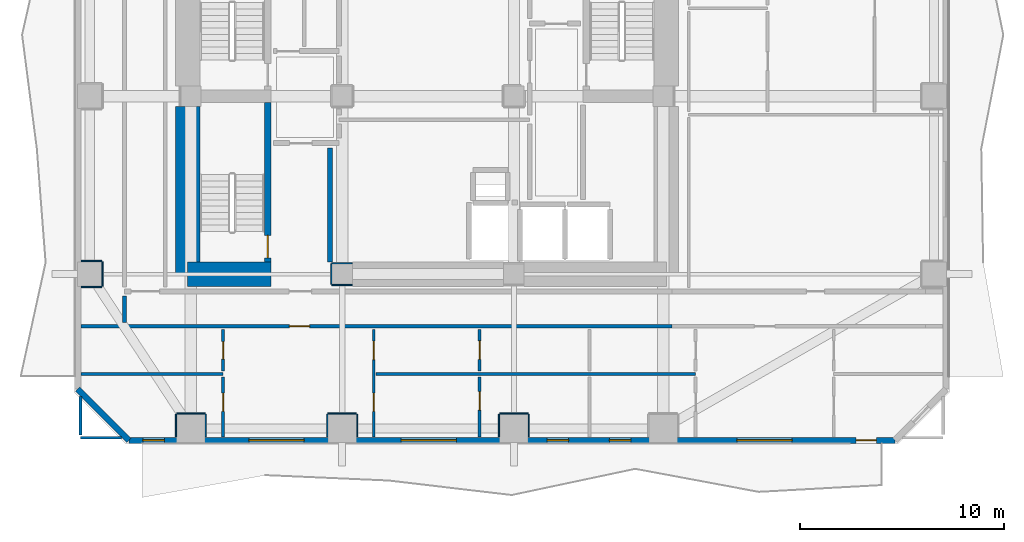
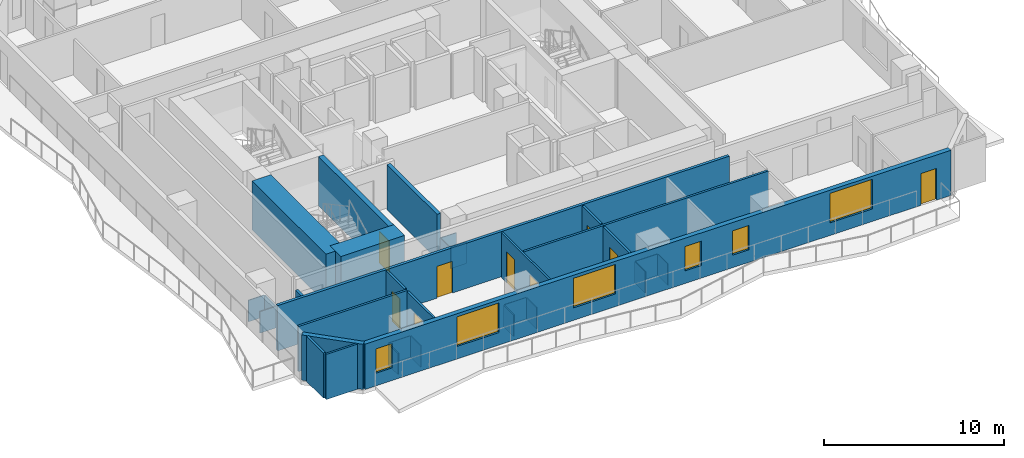
# One storey, part 2 of 11: 32 walls, 9 doors, 6 windows, 15 openings.
"""IFC4 building model written with IfcOpenShell, lengths in metres."""

from ifc_helpers import new_model, si_unit, direction, frame, frame_2d, origin, place, context, subcontext, project, spatial, rectangle, extrude, material, layer, layer_set, type_object, element, fill, save


model = new_model("IFC4")

# Units and contexts
model_context = context("Model", 3, precision=1e-05, world=origin(), true_north=direction((0.0, 1.0)))
body_context = subcontext(model_context, "Body", "Model", "MODEL_VIEW")
ifc_project = project(units=[si_unit("LENGTHUNIT", "METRE"), si_unit("AREAUNIT", "SQUARE_METRE"), si_unit("VOLUMEUNIT", "CUBIC_METRE"), si_unit("PLANEANGLEUNIT", "RADIAN"), si_unit("MASSUNIT", "GRAM", prefix="KILO")], contexts=[model_context])

# Site, building, storey
site_placement = place(None, origin())
site = spatial("IfcSite", under=ifc_project, at=site_placement, CompositionType="ELEMENT")
building_placement = place(site_placement, origin())
building = spatial("IfcBuilding", under=site, at=building_placement, Name="Solanera Arch Residences", CompositionType="ELEMENT")
storey_placement = place(building_placement, frame((0.0, 0.0, 68.47998046875)))
storey = spatial("IfcBuildingStorey", under=building, at=storey_placement, Name="L19", CompositionType="ELEMENT", Elevation=68.47998046875)

# Walls
ifc_material_1 = material(Name="Fire-Rated Gypsum Stud Partition", Category="gypsum")
ifc_layer_1 = layer(ifc_material_1, 0.06005859375)
ifc_layer_set_1 = layer_set([ifc_layer_1], Name="Fire-Rated Gypsum Stud Partition")
wall_type_1 = type_object("IfcWallType", Name="Column Acoustic Furring Wall 60", PredefinedType="PARTITIONING", material=ifc_layer_set_1)
for number, where, z_axis, x_axis, name in (
    (1, (20.300048828125, 21.468017578125, 0.0), (0.0, 0.0, 1.0), (1.0, 0.0, 0.0), "L19 Column Furring 1S"),
    (2, (20.300048828125, 22.531982421875, 0.0), (0.0, 0.0, 1.0), (1.0, 0.0, 0.0), "L19 Column Furring 1N"),
):
    element("IfcWall", number, at=place(storey_placement, frame(where, z_axis=z_axis, x_axis=x_axis)), inside=storey, type_object=wall_type_1, Name=name, PredefinedType="PARTITIONING", context=body_context, shape_type="SweptSolid", body=[
        extrude(rectangle(XDim=0.989990234375, YDim=0.06005859375, at=frame_2d((0.4951171875, 0.0))), origin(), (0.0, 0.0, 1.0), 1.449951171875),
    ])
wall_1_placement = place(storey_placement, frame((20.26806640625, 21.5, 0.0), z_axis=(0.0, 0.0, 1.0), x_axis=(0.0, 1.0, 0.0)))
element("IfcWall", 3, at=wall_1_placement, inside=storey, type_object=wall_type_1, Name="L19 Column Furring 1W", PredefinedType="PARTITIONING", context=body_context, shape_type="SweptSolid", body=[
    extrude(rectangle(XDim=1.0, YDim=0.06005859375, at=frame_2d((0.5, 0.0))), origin(), (0.0, 0.0, 1.0), 1.449951171875),
])
wall_2_placement = place(storey_placement, frame((12.699951171875, 15.181884765625, 0.0), z_axis=(0.0, 0.0, 1.0), x_axis=(1.0, 0.0, 0.0)))
element("IfcWall", 4, at=wall_2_placement, inside=storey, type_object=wall_type_1, Name="L19 Column Furring 9N", PredefinedType="PARTITIONING", context=body_context, shape_type="SweptSolid", body=[
    extrude(rectangle(XDim=1.400146484375, YDim=0.06005859375, at=frame_2d((0.7001953125, 0.0))), origin(), (0.0, 0.0, 1.0), 1.449951171875),
])
for number, where, z_axis, x_axis, name in (
    (5, (12.66796875, 14.030029296875, 0.0), (0.0, 0.0, 1.0), (0.0, 1.0, 0.0), "L19 Column Furring 9W"),
    (6, (14.132080078125, 14.030029296875, 0.0), (0.0, 0.0, 1.0), (0.0, 1.0, 0.0), "L19 Column Furring 9E"),
):
    element("IfcWall", number, at=place(storey_placement, frame(where, z_axis=z_axis, x_axis=x_axis)), inside=storey, type_object=wall_type_1, Name=name, PredefinedType="PARTITIONING", context=body_context, shape_type="SweptSolid", body=[
        extrude(rectangle(XDim=1.119873046875, YDim=0.06005859375, at=frame_2d((0.56005859375, 0.0))), origin(), (0.0, 0.0, 1.0), 1.449951171875),
    ])
wall_3_placement = place(storey_placement, frame((20.10009765625, 15.181884765625, 0.0), z_axis=(0.0, 0.0, 1.0), x_axis=(1.0, 0.0, 0.0)))
element("IfcWall", 7, at=wall_3_placement, inside=storey, type_object=wall_type_1, Name="L19 Column Furring 11N", PredefinedType="PARTITIONING", context=body_context, shape_type="SweptSolid", body=[
    extrude(rectangle(XDim=1.39990234375, YDim=0.06005859375, at=frame_2d((0.699951171875, 0.0))), origin(), (0.0, 0.0, 1.0), 1.449951171875),
])
for number, where, z_axis, x_axis, name in (
    (8, (20.068115234375, 14.030029296875, 0.0), (0.0, 0.0, 1.0), (0.0, 1.0, 0.0), "L19 Column Furring 11W"),
    (9, (21.531982421875, 14.030029296875, 0.0), (0.0, 0.0, 1.0), (0.0, 1.0, 0.0), "L19 Column Furring 11E"),
):
    element("IfcWall", number, at=place(storey_placement, frame(where, z_axis=z_axis, x_axis=x_axis)), inside=storey, type_object=wall_type_1, Name=name, PredefinedType="PARTITIONING", context=body_context, shape_type="SweptSolid", body=[
        extrude(rectangle(XDim=1.119873046875, YDim=0.06005859375, at=frame_2d((0.56005859375, 0.0))), origin(), (0.0, 0.0, 1.0), 1.449951171875),
    ])
wall_4_placement = place(storey_placement, frame((28.5, 15.181884765625, 0.0), z_axis=(0.0, 0.0, 1.0), x_axis=(1.0, 0.0, 0.0)))
element("IfcWall", 10, at=wall_4_placement, inside=storey, type_object=wall_type_1, Name="L19 Column Furring 13N", PredefinedType="PARTITIONING", context=body_context, shape_type="SweptSolid", body=[
    extrude(rectangle(XDim=1.39990234375, YDim=0.06005859375, at=frame_2d((0.699951171875, 0.0))), origin(), (0.0, 0.0, 1.0), 1.449951171875),
])
for number, where, z_axis, x_axis, name in (
    (11, (28.468017578125, 14.030029296875, 0.0), (0.0, 0.0, 1.0), (0.0, 1.0, 0.0), "L19 Column Furring 13W"),
    (12, (29.931884765625, 14.030029296875, 0.0), (0.0, 0.0, 1.0), (0.0, 1.0, 0.0), "L19 Column Furring 13E"),
):
    element("IfcWall", number, at=place(storey_placement, frame(where, z_axis=z_axis, x_axis=x_axis)), inside=storey, type_object=wall_type_1, Name=name, PredefinedType="PARTITIONING", context=body_context, shape_type="SweptSolid", body=[
        extrude(rectangle(XDim=1.119873046875, YDim=0.06005859375, at=frame_2d((0.56005859375, 0.0))), origin(), (0.0, 0.0, 1.0), 1.449951171875),
    ])
for number, where, z_axis, x_axis, name in (
    (13, (8.030029296875, 21.367919921875, 0.0), (0.0, 0.0, 1.0), (1.0, 0.0, 0.0), "L19 Column Furring 17S"),
    (14, (8.030029296875, 22.632080078125, 0.0), (0.0, 0.0, 1.0), (1.0, 0.0, 0.0), "L19 Column Furring 17N"),
):
    element("IfcWall", number, at=place(storey_placement, frame(where, z_axis=z_axis, x_axis=x_axis)), inside=storey, type_object=wall_type_1, Name=name, PredefinedType="PARTITIONING", context=body_context, shape_type="SweptSolid", body=[
        extrude(rectangle(XDim=1.02001953125, YDim=0.06005859375, at=frame_2d((0.510009765625, 0.0))), origin(), (0.0, 0.0, 1.0), 1.449951171875),
    ])
wall_5_placement = place(storey_placement, frame((9.08203125, 21.39990234375, 0.0), z_axis=(0.0, 0.0, 1.0), x_axis=(0.0, 1.0, 0.0)))
element("IfcWall", 15, at=wall_5_placement, inside=storey, type_object=wall_type_1, Name="L19 Column Furring 17E", PredefinedType="PARTITIONING", context=body_context, shape_type="SweptSolid", body=[
    extrude(rectangle(XDim=1.2001953125, YDim=0.06005859375, at=frame_2d((0.60009765625, 0.0))), origin(), (0.0, 0.0, 1.0), 1.449951171875),
])
ifc_material_2 = material(Name="Concrete C55/67 (f'c = 60 MPa)", Category="concrete")
ifc_layer_2 = layer(ifc_material_2, 1.199951171875)
ifc_layer_set_2 = layer_set([ifc_layer_2], Name="Concrete C55/67 (f'c = 60 MPa)")
wall_type_2 = type_object("IfcWallType", Name="Core Shear Wall CW-1200", PredefinedType="SHEAR", material=ifc_layer_set_2)
wall_6_placement = place(storey_placement, frame((13.239990234375, 22.0, 0.0), z_axis=(0.0, 0.0, 1.0), x_axis=(0.0, 1.0, 0.0)))
element("IfcWall", 16, at=wall_6_placement, inside=storey, type_object=wall_type_2, Name="L19 West Core South Shear Wall", PredefinedType="SHEAR", context=body_context, shape_type="SweptSolid", body=[
    extrude(rectangle(XDim=8.195068359375, YDim=1.199951171875, at=frame_2d((4.09765625, 0.0))), origin(), (0.0, 0.0, 1.0), 3.320068359375),
])
wall_7_placement = place(storey_placement, frame((13.239990234375, 22.0, 0.0), z_axis=(0.0, 0.0, 1.0), x_axis=(1.0, 0.0, 0.0)))
element("IfcWall", 17, at=wall_7_placement, inside=storey, type_object=wall_type_2, Name="L19 South-West Core Shear Wall", PredefinedType="SHEAR", context=body_context, shape_type="SweptSolid", body=[
    extrude(rectangle(XDim=4.080078125, YDim=1.199951171875, at=frame_2d((2.0400390625, 0.0))), origin(), (0.0, 0.0, 1.0), 3.320068359375),
])

# Wall, opening, door
ifc_material_3 = material(Name="Concrete C40/50 (f'c = 45 MPa)", Category="concrete")
ifc_layer_3 = layer(ifc_material_3, 0.320068359375)
ifc_layer_set_3 = layer_set([ifc_layer_3], Name="Concrete C40/50 (f'c = 45 MPa)")
wall_type_3 = type_object("IfcWallType", Name="Core Shear Wall CW-320", PredefinedType="SHEAR", material=ifc_layer_set_3)
wall_8_placement = place(storey_placement, frame((17.159912109375, 22.60009765625, 0.0), z_axis=(0.0, 0.0, 1.0), x_axis=(0.0, 1.0, 0.0)))
wall_8 = element("IfcWall", 18, at=wall_8_placement, inside=storey, type_object=wall_type_3, Name="L19 Stair ST-T3 East Shear Wall", PredefinedType="SHEAR", context=body_context, shape_type="SweptSolid", body=[
    extrude(rectangle(XDim=7.7998046875, YDim=0.320068359375, at=frame_2d((3.89990234375, 0.0))), origin(), (0.0, 0.0, 1.0), 3.320068359375),
])
opening_1_placement = place(wall_8_placement, frame((0.18994140625, 0.0, 0.0)))
opening_1 = element("IfcOpeningElement", 19, at=opening_1_placement, cuts=wall_8, Name="Opening DF-01", PredefinedType="OPENING", context=body_context, shape_type="SweptSolid", body=[
    extrude(rectangle(XDim=1.10009765625, YDim=2.14990234375, at=frame_2d((0.550048828125, 1.074951171875))), frame((0.0, 0.169921875, 0.0), z_axis=(0.0, -1.0, 0.0), x_axis=(1.0, 0.0, 0.0)), (0.0, 0.0, 1.0), 0.3401),
])
ifc_material_4 = material(Name="Fire-Rated Architectural Hardwood", Category="wood")
door_type_1 = type_object("IfcDoorType", Name="Stair Exit Fire Door DF-01", OperationType="NOTDEFINED", PredefinedType="DOOR", material=ifc_material_4)
door_1_placement = place(opening_1_placement, origin())
door_1 = element("IfcDoor", 20, at=door_1_placement, inside=storey, type_object=door_type_1, Name="DR-L19-STAIR-ST-T3", OperationType="SINGLE_SWING_LEFT", OverallHeight=2.14990234375, OverallWidth=1.10009765625, PredefinedType="DOOR", context=body_context, shape_type="SweptSolid", body=[
    extrude(rectangle(XDim=1.10009765625, YDim=2.14990234375, at=frame_2d((0.550048828125, 1.074951171875))), frame((0.0, 0.02490234375, 0.0), z_axis=(0.0, -1.0, 0.0), x_axis=(1.0, 0.0, 0.0)), (0.0, 0.0, 1.0), 0.050048828125),
])
fill(opening_1, door_1)

ifc_material_5 = material(Name="Autoclaved Aerated Concrete Blockwork", Category="masonry")
ifc_layer_4 = layer(ifc_material_5, 0.179931640625)
ifc_layer_set_4 = layer_set([ifc_layer_4], Name="Autoclaved Aerated Concrete Blockwork")
wall_type_4 = type_object("IfcWallType", Name="Corridor Fire Partition 180", PredefinedType="PARTITIONING", material=ifc_layer_set_4)
wall_9_placement = place(storey_placement, frame((8.027099609375, 19.449951171875, 0.0), z_axis=(0.0, 0.0, 1.0), x_axis=(1.0, 0.0, 0.0)))
wall_9 = element("IfcWall", 21, at=wall_9_placement, inside=storey, type_object=wall_type_4, Name="L19 Interior Partition H6 1", PredefinedType="PARTITIONING", context=body_context, shape_type="SweptSolid", body=[
    extrude(rectangle(XDim=28.90185546875, YDim=0.179931640625, at=frame_2d((14.450927734375, 0.0))), origin(), (0.0, 0.0, 1.0), 3.06005859375),
])
opening_2_placement = place(wall_9_placement, frame((10.18701171875, 0.0, 0.0)))
opening_2 = element("IfcOpeningElement", 22, at=opening_2_placement, cuts=wall_9, Name="Opening DI-01", PredefinedType="OPENING", context=body_context, shape_type="SweptSolid", body=[
    extrude(rectangle(XDim=1.0, YDim=2.14990234375, at=frame_2d((0.5, 1.074951171875))), frame((0.0, 0.10009765625, 0.0), z_axis=(0.0, -1.0, 0.0), x_axis=(1.0, 0.0, 0.0)), (0.0, 0.0, 1.0), 0.1999),
])
ifc_material_6 = material(Name="Fire-Rated Architectural Hardwood", Category="wood")
door_type_2 = type_object("IfcDoorType", Name="Unit Entrance Fire Door DI-01", OperationType="NOTDEFINED", PredefinedType="DOOR", material=ifc_material_6)
door_2_placement = place(opening_2_placement, origin())
door_2 = element("IfcDoor", 23, at=door_2_placement, inside=storey, type_object=door_type_2, Name="DR-L19-IN-013", OperationType="SINGLE_SWING_LEFT", OverallHeight=2.14990234375, OverallWidth=1.0, PredefinedType="DOOR", context=body_context, shape_type="SweptSolid", body=[
    extrude(rectangle(XDim=1.0, YDim=2.14990234375, at=frame_2d((0.5, 1.074951171875))), frame((0.0, 0.02490234375, 0.0), z_axis=(0.0, -1.0, 0.0), x_axis=(1.0, 0.0, 0.0)), (0.0, 0.0, 1.0), 0.050048828125),
])
fill(opening_2, door_2)

# Wall
wall_10_placement = place(storey_placement, frame((10.14990234375, 19.637939453125, 0.0), z_axis=(0.0, 0.0, 1.0), x_axis=(0.0, 1.0, 0.0)))
element("IfcWall", 24, at=wall_10_placement, inside=storey, type_object=wall_type_4, Name="L19 Interior Partition V6 1", PredefinedType="PARTITIONING", context=body_context, shape_type="SweptSolid", body=[
    extrude(rectangle(XDim=1.2939453125, YDim=0.179931640625, at=frame_2d((0.64697265625, 0.0))), origin(), (0.0, 0.0, 1.0), 2.445068359375),
])

# Wall, openings, door, windows
ifc_material_7 = material(Name="Precast Concrete C35/45", Category="concrete")
ifc_layer_5 = layer(ifc_material_7, 0.300048828125)
ifc_layer_set_5 = layer_set([ifc_layer_5], Name="Precast Concrete C35/45")
wall_type_5 = type_object("IfcWallType", Name="Exterior Wall Precast Masonry-Frame 300", PredefinedType="STANDARD", material=ifc_layer_set_5)
wall_11_placement = place(storey_placement, frame((47.8349609375, 13.864990234375, 0.0), z_axis=(0.0, 0.0, 1.0), x_axis=(-1.0, 0.0, 0.0)))
wall_11 = element("IfcWall", 25, at=wall_11_placement, inside=storey, type_object=wall_type_5, Name="L19 Tower Exterior Precast Masonry-Frame Wall S", PredefinedType="STANDARD", context=body_context, shape_type="SweptSolid", body=[
    extrude(rectangle(XDim=37.469970703125, YDim=0.300048828125, at=frame_2d((18.73486328125, 0.0))), origin(), (0.0, 0.0, 1.0), 3.06005859375),
])
opening_3_placement = place(wall_11_placement, frame((0.90087890625, 0.0, 0.0)))
opening_3 = element("IfcOpeningElement", 26, at=opening_3_placement, cuts=wall_11, Name="Opening DB-01", PredefinedType="OPENING", context=body_context, shape_type="SweptSolid", body=[
    extrude(rectangle(XDim=1.0, YDim=2.14990234375, at=frame_2d((0.5, 1.074951171875))), frame((0.0, 0.159912109375, 0.0), z_axis=(0.0, -1.0, 0.0), x_axis=(1.0, 0.0, 0.0)), (0.0, 0.0, 1.0), 0.32),
])
opening_4_placement = place(wall_11_placement, frame((28.89501953125, 0.0, 0.85009765625)))
opening_4 = element("IfcOpeningElement", 27, at=opening_4_placement, cuts=wall_11, Name="Opening W-09", PredefinedType="OPENING", context=body_context, shape_type="SweptSolid", body=[
    extrude(rectangle(XDim=2.699951171875, YDim=2.0, at=frame_2d((1.35009765625, 1.0))), frame((0.0, 0.159912109375, 0.0), z_axis=(0.0, -1.0, 0.0), x_axis=(1.0, 0.0, 0.0)), (0.0, 0.0, 1.0), 0.32),
])
opening_5_placement = place(wall_11_placement, frame((35.73291015625, 0.0, 0.85009765625)))
opening_5 = element("IfcOpeningElement", 28, at=opening_5_placement, cuts=wall_11, Name="Opening W-07", PredefinedType="OPENING", context=body_context, shape_type="SweptSolid", body=[
    extrude(rectangle(XDim=1.050048828125, YDim=1.64990234375, at=frame_2d((0.52490234375, 0.824951171875))), frame((0.0, 0.159912109375, 0.0), z_axis=(0.0, -1.0, 0.0), x_axis=(1.0, 0.0, 0.0)), (0.0, 0.0, 1.0), 0.32),
])
opening_6_placement = place(wall_11_placement, frame((21.450927734375, 0.0, 0.85009765625)))
opening_6 = element("IfcOpeningElement", 29, at=opening_6_placement, cuts=wall_11, Name="Opening W-09", PredefinedType="OPENING", context=body_context, shape_type="SweptSolid", body=[
    extrude(rectangle(XDim=2.699951171875, YDim=2.0, at=frame_2d((1.35009765625, 1.0))), frame((0.0, 0.159912109375, 0.0), z_axis=(0.0, -1.0, 0.0), x_axis=(1.0, 0.0, 0.0)), (0.0, 0.0, 1.0), 0.32),
])
opening_7_placement = place(wall_11_placement, frame((15.964111328125, 0.0, 0.85009765625)))
opening_7 = element("IfcOpeningElement", 30, at=opening_7_placement, cuts=wall_11, Name="Opening W-07", PredefinedType="OPENING", context=body_context, shape_type="SweptSolid", body=[
    extrude(rectangle(XDim=1.050048828125, YDim=1.64990234375, at=frame_2d((0.52490234375, 0.824951171875))), frame((0.0, 0.159912109375, 0.0), z_axis=(0.0, -1.0, 0.0), x_axis=(1.0, 0.0, 0.0)), (0.0, 0.0, 1.0), 0.32),
])
opening_8_placement = place(wall_11_placement, frame((5.02490234375, 0.0, 0.85009765625)))
opening_8 = element("IfcOpeningElement", 31, at=opening_8_placement, cuts=wall_11, Name="Opening W-09", PredefinedType="OPENING", context=body_context, shape_type="SweptSolid", body=[
    extrude(rectangle(XDim=2.699951171875, YDim=2.0, at=frame_2d((1.35009765625, 1.0))), frame((0.0, 0.159912109375, 0.0), z_axis=(0.0, -1.0, 0.0), x_axis=(1.0, 0.0, 0.0)), (0.0, 0.0, 1.0), 0.32),
])
opening_9_placement = place(wall_11_placement, frame((12.9140625, 0.0, 0.85009765625)))
opening_9 = element("IfcOpeningElement", 32, at=opening_9_placement, cuts=wall_11, Name="Opening W-07", PredefinedType="OPENING", context=body_context, shape_type="SweptSolid", body=[
    extrude(rectangle(XDim=1.050048828125, YDim=1.64990234375, at=frame_2d((0.52490234375, 0.824951171875))), frame((0.0, 0.159912109375, 0.0), z_axis=(0.0, -1.0, 0.0), x_axis=(1.0, 0.0, 0.0)), (0.0, 0.0, 1.0), 0.32),
])
ifc_material_8 = material(Name="Anodised Aluminium Alloy 6063-T6", Category="aluminium")
door_type_3 = type_object("IfcDoorType", Name="Glazed Balcony Swing Door DB-01", OperationType="NOTDEFINED", PredefinedType="DOOR", material=ifc_material_8)
door_3_placement = place(opening_3_placement, origin())
door_3 = element("IfcDoor", 33, at=door_3_placement, inside=storey, type_object=door_type_3, Name="DR-L19-OUT-01", OperationType="SINGLE_SWING_LEFT", OverallHeight=2.14990234375, OverallWidth=1.0, PredefinedType="DOOR", context=body_context, shape_type="SweptSolid", body=[
    extrude(rectangle(XDim=1.0, YDim=2.14990234375, at=frame_2d((0.5, 1.074951171875))), frame((0.0, 0.02490234375, 0.0), z_axis=(0.0, -1.0, 0.0), x_axis=(1.0, 0.0, 0.0)), (0.0, 0.0, 1.0), 0.050048828125),
])
fill(opening_3, door_3)
ifc_material_9 = material(Name="Double Glazed Low-E Laminated Glass", Category="glass")
window_type_1 = type_object("IfcWindowType", Name="Punched Window W-07", PartitioningType="SINGLE_PANEL", PredefinedType="WINDOW", material=ifc_material_9)
window_1_placement = place(opening_5_placement, origin())
window_1 = element("IfcWindow", 34, at=window_1_placement, inside=storey, type_object=window_type_1, Name="L19 1901-BR1 Punched Window", OverallHeight=1.64990234375, OverallWidth=1.050048828125, PartitioningType="SINGLE_PANEL", PredefinedType="WINDOW", context=body_context, shape_type="SweptSolid", body=[
    extrude(rectangle(XDim=1.050048828125, YDim=1.64990234375, at=frame_2d((0.52490234375, 0.824951171875))), frame((0.0, 0.030029296875, 0.0), z_axis=(0.0, -1.0, 0.0), x_axis=(1.0, 0.0, 0.0)), (0.0, 0.0, 1.0), 0.06005859375),
])
fill(opening_5, window_1)
window_2_placement = place(opening_7_placement, origin())
window_2 = element("IfcWindow", 35, at=window_2_placement, inside=storey, type_object=window_type_1, Name="L19 1901-BR3 Punched Window", OverallHeight=1.64990234375, OverallWidth=1.050048828125, PartitioningType="SINGLE_PANEL", PredefinedType="WINDOW", context=body_context, shape_type="SweptSolid", body=[
    extrude(rectangle(XDim=1.050048828125, YDim=1.64990234375, at=frame_2d((0.52490234375, 0.824951171875))), frame((0.0, 0.030029296875, 0.0), z_axis=(0.0, -1.0, 0.0), x_axis=(1.0, 0.0, 0.0)), (0.0, 0.0, 1.0), 0.06005859375),
])
fill(opening_7, window_2)
window_3_placement = place(opening_9_placement, origin())
window_3 = element("IfcWindow", 36, at=window_3_placement, inside=storey, type_object=window_type_1, Name="L19 1902-BR1 Punched Window", OverallHeight=1.64990234375, OverallWidth=1.050048828125, PartitioningType="SINGLE_PANEL", PredefinedType="WINDOW", context=body_context, shape_type="SweptSolid", body=[
    extrude(rectangle(XDim=1.050048828125, YDim=1.64990234375, at=frame_2d((0.52490234375, 0.824951171875))), frame((0.0, 0.030029296875, 0.0), z_axis=(0.0, -1.0, 0.0), x_axis=(1.0, 0.0, 0.0)), (0.0, 0.0, 1.0), 0.06005859375),
])
fill(opening_9, window_3)
ifc_material_10 = material(Name="Double Glazed Low-E Laminated Glass", Category="glass")
window_type_2 = type_object("IfcWindowType", Name="Punched Window W-09", PartitioningType="TRIPLE_PANEL_VERTICAL", PredefinedType="WINDOW", material=ifc_material_10)
window_4_placement = place(opening_4_placement, origin())
window_4 = element("IfcWindow", 37, at=window_4_placement, inside=storey, type_object=window_type_2, Name="L19 1901-LIV Punched Window", OverallHeight=2.0, OverallWidth=2.699951171875, PartitioningType="SINGLE_PANEL", PredefinedType="WINDOW", context=body_context, shape_type="SweptSolid", body=[
    extrude(rectangle(XDim=2.699951171875, YDim=2.0, at=frame_2d((1.35009765625, 1.0))), frame((0.0, 0.030029296875, 0.0), z_axis=(0.0, -1.0, 0.0), x_axis=(1.0, 0.0, 0.0)), (0.0, 0.0, 1.0), 0.06005859375),
])
fill(opening_4, window_4)
window_5_placement = place(opening_6_placement, origin())
window_5 = element("IfcWindow", 38, at=window_5_placement, inside=storey, type_object=window_type_2, Name="L19 1901-BR2 Punched Window", OverallHeight=2.0, OverallWidth=2.699951171875, PartitioningType="SINGLE_PANEL", PredefinedType="WINDOW", context=body_context, shape_type="SweptSolid", body=[
    extrude(rectangle(XDim=2.699951171875, YDim=2.0, at=frame_2d((1.35009765625, 1.0))), frame((0.0, 0.030029296875, 0.0), z_axis=(0.0, -1.0, 0.0), x_axis=(1.0, 0.0, 0.0)), (0.0, 0.0, 1.0), 0.06005859375),
])
fill(opening_6, window_5)
window_6_placement = place(opening_8_placement, origin())
window_6 = element("IfcWindow", 39, at=window_6_placement, inside=storey, type_object=window_type_2, Name="L19 1902-LIV Punched Window", OverallHeight=2.0, OverallWidth=2.699951171875, PartitioningType="SINGLE_PANEL", PredefinedType="WINDOW", context=body_context, shape_type="SweptSolid", body=[
    extrude(rectangle(XDim=2.699951171875, YDim=2.0, at=frame_2d((1.35009765625, 1.0))), frame((0.0, 0.030029296875, 0.0), z_axis=(0.0, -1.0, 0.0), x_axis=(1.0, 0.0, 0.0)), (0.0, 0.0, 1.0), 0.06005859375),
])
fill(opening_8, window_6)

# Walls
wall_12_placement = place(storey_placement, frame((10.364990234375, 13.864990234375, 0.0), z_axis=(0.0, 0.0, 1.0), x_axis=(-0.707106781187, 0.707106781187, 0.0)))
element("IfcWall", 40, at=wall_12_placement, inside=storey, type_object=wall_type_5, Name="L19 Tower Exterior Precast Masonry-Frame Wall CH7", PredefinedType="STANDARD", context=body_context, shape_type="SweptSolid", body=[
    extrude(rectangle(XDim=3.53564453125, YDim=0.300048828125, at=frame_2d((1.767822265625, 0.0))), origin(), (0.0, 0.0, 1.0), 3.06005859375),
])
ifc_material_11 = material(Name="Autoclaved Aerated Concrete Blockwork", Category="masonry")
ifc_layer_6 = layer(ifc_material_11, 0.239990234375)
ifc_layer_set_6 = layer_set([ifc_layer_6], Name="Autoclaved Aerated Concrete Blockwork")
wall_type_6 = type_object("IfcWallType", Name="Shaft Wall Fire-Rated 240", PredefinedType="PARTITIONING", material=ifc_layer_set_6)
wall_13_placement = place(storey_placement, frame((20.199951171875, 22.5859375, 0.0), z_axis=(0.0, 0.0, 1.0), x_axis=(0.0, 1.0, 0.0)))
element("IfcWall", 41, at=wall_13_placement, inside=storey, type_object=wall_type_6, Name="L19 Interior Partition V2", PredefinedType="PARTITIONING", context=body_context, shape_type="SweptSolid", body=[
    extrude(rectangle(XDim=5.566162109375, YDim=0.239990234375, at=frame_2d((2.783203125, 0.0))), origin(), (0.0, 0.0, 1.0), 3.06005859375),
])
ifc_material_12 = material(Name="Fire-Rated Gypsum Stud Partition", Category="gypsum")
ifc_layer_7 = layer(ifc_material_12, 0.1201171875)
ifc_layer_set_7 = layer_set([ifc_layer_7], Name="Fire-Rated Gypsum Stud Partition")
wall_type_7 = type_object("IfcWallType", Name="Unit Drywall Partition 120", PredefinedType="PARTITIONING", material=ifc_layer_set_7)
wall_14_placement = place(storey_placement, frame((8.0, 14.0, 0.0), z_axis=(0.0, 0.0, 1.0), x_axis=(1.0, 0.0, 0.0)))
element("IfcWall", 42, at=wall_14_placement, inside=storey, type_object=wall_type_7, Name="L19 Interior Partition H19 1", PredefinedType="PARTITIONING", context=body_context, shape_type="SweptSolid", body=[
    extrude(rectangle(XDim=2.0009765625, YDim=0.1201171875, at=frame_2d((1.00048828125, 0.0))), origin(), (0.0, 0.0, 1.0), 3.06005859375),
])

# Wall, openings, doors
wall_15_placement = place(storey_placement, frame((22.35205078125, 14.027099609375, 0.0), z_axis=(0.0, 0.0, 1.0), x_axis=(0.0, 1.0, 0.0)))
wall_15 = element("IfcWall", 43, at=wall_15_placement, inside=storey, type_object=wall_type_7, Name="L19 Interior Partition V22", PredefinedType="PARTITIONING", context=body_context, shape_type="SweptSolid", body=[
    extrude(rectangle(XDim=5.264892578125, YDim=0.1201171875, at=frame_2d((2.63232421875, 0.0))), origin(), (0.0, 0.0, 1.0), 3.06005859375),
])
opening_10_placement = place(wall_15_placement, frame((3.7890625, 0.0, 0.0)))
opening_10 = element("IfcOpeningElement", 44, at=opening_10_placement, cuts=wall_15, Name="Opening DI-02", PredefinedType="OPENING", context=body_context, shape_type="SweptSolid", body=[
    extrude(rectangle(XDim=0.89990234375, YDim=2.10009765625, at=frame_2d((0.449951171875, 1.050048828125))), frame((0.0, 0.070068359375, 0.0), z_axis=(0.0, -1.0, 0.0), x_axis=(1.0, 0.0, 0.0)), (0.0, 0.0, 1.0), 0.1401),
])
opening_11_placement = place(wall_15_placement, frame((1.2490234375, 0.0, 0.0)))
opening_11 = element("IfcOpeningElement", 45, at=opening_11_placement, cuts=wall_15, Name="Opening DI-03", PredefinedType="OPENING", context=body_context, shape_type="SweptSolid", body=[
    extrude(rectangle(XDim=0.89990234375, YDim=2.10009765625, at=frame_2d((0.449951171875, 1.050048828125))), frame((0.0, 0.070068359375, 0.0), z_axis=(0.0, -1.0, 0.0), x_axis=(1.0, 0.0, 0.0)), (0.0, 0.0, 1.0), 0.1401),
])
ifc_material_13 = material(Name="Fire-Rated Architectural Hardwood", Category="wood")
door_type_4 = type_object("IfcDoorType", Name="Bedroom Swing Door DI-03", OperationType="NOTDEFINED", PredefinedType="DOOR", material=ifc_material_13)
door_4_placement = place(opening_11_placement, origin())
door_4 = element("IfcDoor", 46, at=door_4_placement, inside=storey, type_object=door_type_4, Name="DR-L19-IN-018", OperationType="SINGLE_SWING_RIGHT", OverallHeight=2.10009765625, OverallWidth=0.89990234375, PredefinedType="DOOR", context=body_context, shape_type="SweptSolid", body=[
    extrude(rectangle(XDim=0.89990234375, YDim=2.10009765625, at=frame_2d((0.449951171875, 1.050048828125))), frame((0.0, 0.02490234375, 0.0), z_axis=(0.0, -1.0, 0.0), x_axis=(1.0, 0.0, 0.0)), (0.0, 0.0, 1.0), 0.050048828125),
])
fill(opening_11, door_4)
ifc_material_14 = material(Name="Fire-Rated Architectural Hardwood", Category="wood")
door_type_5 = type_object("IfcDoorType", Name="Suite Room Swing Door DI-02", OperationType="NOTDEFINED", PredefinedType="DOOR", material=ifc_material_14)
door_5_placement = place(opening_10_placement, origin())
door_5 = element("IfcDoor", 47, at=door_5_placement, inside=storey, type_object=door_type_5, Name="DR-L19-IN-016", OperationType="SINGLE_SWING_RIGHT", OverallHeight=2.10009765625, OverallWidth=0.89990234375, PredefinedType="DOOR", context=body_context, shape_type="SweptSolid", body=[
    extrude(rectangle(XDim=0.89990234375, YDim=2.10009765625, at=frame_2d((0.449951171875, 1.050048828125))), frame((0.0, 0.02490234375, 0.0), z_axis=(0.0, -1.0, 0.0), x_axis=(1.0, 0.0, 0.0)), (0.0, 0.0, 1.0), 0.050048828125),
])
fill(opening_10, door_5)

# Walls
ifc_material_15 = material(Name="Autoclaved Aerated Concrete Blockwork", Category="masonry")
ifc_layer_8 = layer(ifc_material_15, 0.139892578125)
ifc_layer_set_8 = layer_set([ifc_layer_8], Name="Autoclaved Aerated Concrete Blockwork")
wall_type_8 = type_object("IfcWallType", Name="Wet-Room Partition 140", PredefinedType="PARTITIONING", material=ifc_layer_set_8)
wall_16_placement = place(storey_placement, frame((8.027099609375, 17.10693359375, 0.0), z_axis=(0.0, 0.0, 1.0), x_axis=(1.0, 0.0, 0.0)))
element("IfcWall", 48, at=wall_16_placement, inside=storey, type_object=wall_type_8, Name="L19 Interior Partition H12", PredefinedType="PARTITIONING", context=body_context, shape_type="SweptSolid", body=[
    extrude(rectangle(XDim=6.952880859375, YDim=0.139892578125, at=frame_2d((3.4765625, 0.0))), origin(), (0.0, 0.0, 1.0), 3.06005859375),
])
wall_17_placement = place(storey_placement, frame((22.447998046875, 17.10693359375, 0.0), z_axis=(0.0, 0.0, 1.0), x_axis=(1.0, 0.0, 0.0)))
element("IfcWall", 49, at=wall_17_placement, inside=storey, type_object=wall_type_8, Name="L19 Interior Partition H13", PredefinedType="PARTITIONING", context=body_context, shape_type="SweptSolid", body=[
    extrude(rectangle(XDim=15.635986328125, YDim=0.139892578125, at=frame_2d((7.81787109375, 0.0))), origin(), (0.0, 0.0, 1.0), 3.06005859375),
])
wall_18_placement = place(storey_placement, frame((8.0, 14.137939453125, 0.0), z_axis=(0.0, 0.0, 1.0), x_axis=(0.0, 1.0, 0.0)))
element("IfcWall", 50, at=wall_18_placement, inside=storey, type_object=wall_type_8, Name="L19 Interior Partition V10", PredefinedType="PARTITIONING", context=body_context, shape_type="SweptSolid", body=[
    extrude(rectangle(XDim=1.863037109375, YDim=0.139892578125, at=frame_2d((0.931640625, 0.0))), origin(), (0.0, 0.0, 1.0), 3.06005859375),
])

# Wall, opening, door
wall_19_placement = place(storey_placement, frame((14.97998046875, 14.027099609375, 0.0), z_axis=(0.0, 0.0, 1.0), x_axis=(0.0, 1.0, 0.0)))
wall_19 = element("IfcWall", 51, at=wall_19_placement, inside=storey, type_object=wall_type_8, Name="L19 Interior Partition V13 1", PredefinedType="PARTITIONING", context=body_context, shape_type="SweptSolid", body=[
    extrude(rectangle(XDim=2.931884765625, YDim=0.139892578125, at=frame_2d((1.4658203125, 0.0))), origin(), (0.0, 0.0, 1.0), 3.06005859375),
])
opening_12_placement = place(wall_19_placement, frame((1.2490234375, 0.0, 0.0)))
opening_12 = element("IfcOpeningElement", 52, at=opening_12_placement, cuts=wall_19, Name="Opening DI-03", PredefinedType="OPENING", context=body_context, shape_type="SweptSolid", body=[
    extrude(rectangle(XDim=0.89990234375, YDim=2.10009765625, at=frame_2d((0.449951171875, 1.050048828125))), frame((0.0, 0.079833984375, 0.0), z_axis=(0.0, -1.0, 0.0), x_axis=(1.0, 0.0, 0.0)), (0.0, 0.0, 1.0), 0.1599),
])
door_6_placement = place(opening_12_placement, origin())
door_6 = element("IfcDoor", 53, at=door_6_placement, inside=storey, type_object=door_type_4, Name="DR-L19-IN-015", OperationType="SINGLE_SWING_LEFT", OverallHeight=2.10009765625, OverallWidth=0.89990234375, PredefinedType="DOOR", context=body_context, shape_type="SweptSolid", body=[
    extrude(rectangle(XDim=0.89990234375, YDim=2.10009765625, at=frame_2d((0.449951171875, 1.050048828125))), frame((0.0, 0.02490234375, 0.0), z_axis=(0.0, -1.0, 0.0), x_axis=(1.0, 0.0, 0.0)), (0.0, 0.0, 1.0), 0.050048828125),
])
fill(opening_12, door_6)

wall_20_placement = place(storey_placement, frame((14.97998046875, 17.2548828125, 0.0), z_axis=(0.0, 0.0, 1.0), x_axis=(0.0, 1.0, 0.0)))
wall_20 = element("IfcWall", 54, at=wall_20_placement, inside=storey, type_object=wall_type_8, Name="L19 Interior Partition V13 2", PredefinedType="PARTITIONING", context=body_context, shape_type="SweptSolid", body=[
    extrude(rectangle(XDim=2.027099609375, YDim=0.139892578125, at=frame_2d((1.013671875, 0.0))), origin(), (0.0, 0.0, 1.0), 3.06005859375),
])
opening_13_placement = place(wall_20_placement, frame((0.5810546875, 0.0, 0.0)))
opening_13 = element("IfcOpeningElement", 55, at=opening_13_placement, cuts=wall_20, Name="Opening DI-05", PredefinedType="OPENING", context=body_context, shape_type="SweptSolid", body=[
    extrude(rectangle(XDim=0.860107421875, YDim=2.02001953125, at=frame_2d((0.43017578125, 1.010009765625))), frame((0.0, 0.079833984375, 0.0), z_axis=(0.0, -1.0, 0.0), x_axis=(1.0, 0.0, 0.0)), (0.0, 0.0, 1.0), 0.1599),
])
ifc_material_16 = material(Name="Fire-Rated Architectural Hardwood", Category="wood")
door_type_6 = type_object("IfcDoorType", Name="Bathroom Swing Door DI-05", OperationType="NOTDEFINED", PredefinedType="DOOR", material=ifc_material_16)
door_7_placement = place(opening_13_placement, origin())
door_7 = element("IfcDoor", 56, at=door_7_placement, inside=storey, type_object=door_type_6, Name="DR-L19-IN-014", OperationType="SINGLE_SWING_RIGHT", OverallHeight=2.02001953125, OverallWidth=0.860107421875, PredefinedType="DOOR", context=body_context, shape_type="SweptSolid", body=[
    extrude(rectangle(XDim=0.860107421875, YDim=2.02001953125, at=frame_2d((0.43017578125, 1.010009765625))), frame((0.0, 0.02490234375, 0.0), z_axis=(0.0, -1.0, 0.0), x_axis=(1.0, 0.0, 0.0)), (0.0, 0.0, 1.0), 0.050048828125),
])
fill(opening_13, door_7)

wall_21_placement = place(storey_placement, frame((27.52001953125, 14.027099609375, 0.0), z_axis=(0.0, 0.0, 1.0), x_axis=(0.0, 1.0, 0.0)))
wall_21 = element("IfcWall", 57, at=wall_21_placement, inside=storey, type_object=wall_type_8, Name="L19 Interior Partition V14 1", PredefinedType="PARTITIONING", context=body_context, shape_type="SweptSolid", body=[
    extrude(rectangle(XDim=2.931884765625, YDim=0.139892578125, at=frame_2d((1.4658203125, 0.0))), origin(), (0.0, 0.0, 1.0), 3.06005859375),
])
opening_14_placement = place(wall_21_placement, frame((1.31689453125, 0.0, 0.0)))
opening_14 = element("IfcOpeningElement", 58, at=opening_14_placement, cuts=wall_21, Name="Opening DI-03", PredefinedType="OPENING", context=body_context, shape_type="SweptSolid", body=[
    extrude(rectangle(XDim=0.89990234375, YDim=2.10009765625, at=frame_2d((0.449951171875, 1.050048828125))), frame((0.0, 0.079833984375, 0.0), z_axis=(0.0, -1.0, 0.0), x_axis=(1.0, 0.0, 0.0)), (0.0, 0.0, 1.0), 0.1599),
])
door_8_placement = place(opening_14_placement, origin())
door_8 = element("IfcDoor", 59, at=door_8_placement, inside=storey, type_object=door_type_4, Name="DR-L19-IN-019", OperationType="SINGLE_SWING_LEFT", OverallHeight=2.10009765625, OverallWidth=0.89990234375, PredefinedType="DOOR", context=body_context, shape_type="SweptSolid", body=[
    extrude(rectangle(XDim=0.89990234375, YDim=2.10009765625, at=frame_2d((0.449951171875, 1.050048828125))), frame((0.0, 0.02490234375, 0.0), z_axis=(0.0, -1.0, 0.0), x_axis=(1.0, 0.0, 0.0)), (0.0, 0.0, 1.0), 0.050048828125),
])
fill(opening_14, door_8)

wall_22_placement = place(storey_placement, frame((27.52001953125, 17.2548828125, 0.0), z_axis=(0.0, 0.0, 1.0), x_axis=(0.0, 1.0, 0.0)))
wall_22 = element("IfcWall", 60, at=wall_22_placement, inside=storey, type_object=wall_type_8, Name="L19 Interior Partition V14 2", PredefinedType="PARTITIONING", context=body_context, shape_type="SweptSolid", body=[
    extrude(rectangle(XDim=2.027099609375, YDim=0.139892578125, at=frame_2d((1.013671875, 0.0))), origin(), (0.0, 0.0, 1.0), 3.06005859375),
])
opening_15_placement = place(wall_22_placement, frame((0.572998046875, 0.0, 0.0)))
opening_15 = element("IfcOpeningElement", 61, at=opening_15_placement, cuts=wall_22, Name="Opening DI-02", PredefinedType="OPENING", context=body_context, shape_type="SweptSolid", body=[
    extrude(rectangle(XDim=0.89990234375, YDim=2.10009765625, at=frame_2d((0.449951171875, 1.050048828125))), frame((0.0, 0.079833984375, 0.0), z_axis=(0.0, -1.0, 0.0), x_axis=(1.0, 0.0, 0.0)), (0.0, 0.0, 1.0), 0.1599),
])
door_9_placement = place(opening_15_placement, origin())
door_9 = element("IfcDoor", 62, at=door_9_placement, inside=storey, type_object=door_type_5, Name="DR-L19-IN-017", OperationType="SINGLE_SWING_LEFT", OverallHeight=2.10009765625, OverallWidth=0.89990234375, PredefinedType="DOOR", context=body_context, shape_type="SweptSolid", body=[
    extrude(rectangle(XDim=0.89990234375, YDim=2.10009765625, at=frame_2d((0.449951171875, 1.050048828125))), frame((0.0, 0.02490234375, 0.0), z_axis=(0.0, -1.0, 0.0), x_axis=(1.0, 0.0, 0.0)), (0.0, 0.0, 1.0), 0.050048828125),
])
fill(opening_15, door_9)

save(model, "model.ifc")
